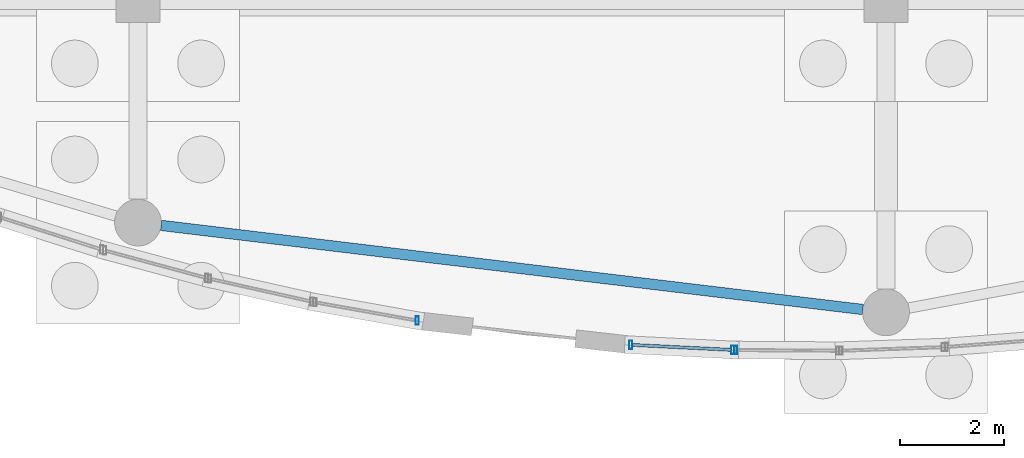
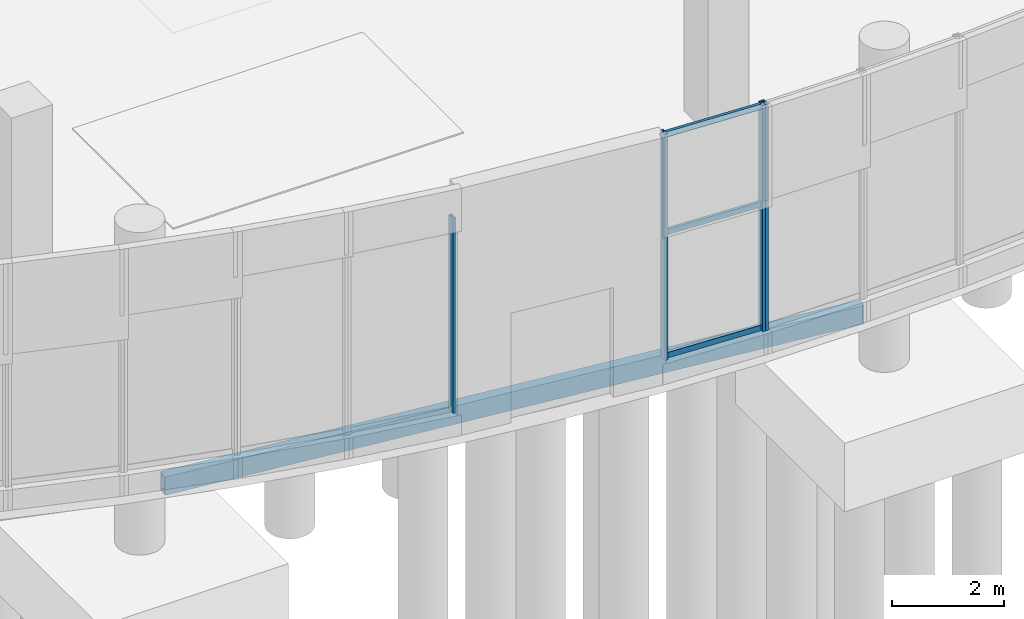
# One storey, part 30 of 192: 7 members, 1 beam, 3 elements without a shape of their own.
"""IFC4 building model written with IfcOpenShell, lengths in metres."""

from ifc_helpers import new_model, si_unit, direction, frame, origin, origin_2d, place, context, subcontext, project, spatial, hollow_rectangle, extrude, material, material_profile, profile_set, type_object, element, aggregate, save


model = new_model("IFC4")

# Units and contexts
model_context = context("Model", 3, precision=1e-05, world=origin(), true_north=direction((0.0, 1.0)))
body_context = subcontext(model_context, "Body", "Model", "MODEL_VIEW")
ifc_project = project(units=[si_unit("LENGTHUNIT", "METRE"), si_unit("AREAUNIT", "SQUARE_METRE"), si_unit("VOLUMEUNIT", "CUBIC_METRE"), si_unit("PLANEANGLEUNIT", "RADIAN"), si_unit("MASSUNIT", "GRAM", prefix="KILO")], contexts=[model_context])

# Site, building, storey
site_placement = place(None, origin())
site = spatial("IfcSite", under=ifc_project, at=site_placement, CompositionType="ELEMENT")
building_placement = place(site_placement, origin())
building = spatial("IfcBuilding", under=site, at=building_placement, Name="Cendralis Lancet Convention Centre", CompositionType="ELEMENT")
storey_placement = place(building_placement, origin())
storey = spatial("IfcBuildingStorey", under=building, at=storey_placement, Name="L00", CompositionType="ELEMENT", Elevation=0.0)

# Curtain wall, member
ifc_material_1 = material(Name="Anodised bronze architectural aluminium", Category="aluminium")
curtain_wall_type = type_object("IfcCurtainWallType", Name="ARC-CW-WF01", PredefinedType="USERDEFINED", material=ifc_material_1)
curtain_wall_1_placement = place(storey_placement, origin())
curtain_wall_1 = element("IfcCurtainWall", 1, at=curtain_wall_1_placement, inside=storey, type_object=curtain_wall_type, Name="L00 Curtain Wall CW-WF1 #022", ObjectType="CURTAIN WALL", PredefinedType="USERDEFINED")
ifc_material_profile_1 = material_profile(ifc_material_1, hollow_rectangle(XDim=0.06005859375, YDim=0.159912109375, WallThickness=0.00390625, at=origin_2d()), Name="AL-MULL 60x160x4.0")
ifc_profile_set_1 = profile_set([ifc_material_profile_1], Name="Anodised bronze architectural aluminium")
member_type_1 = type_object("IfcMemberType", Name="ARC-CW-ML01", PredefinedType="MULLION", material=ifc_profile_set_1)
member_1_placement = place(storey_placement, frame((48.576416015625, 1.035400390625, 0.449951171875), z_axis=(0.0, 0.0, 1.0), x_axis=(1.0, 0.0, 0.0)))
member_1 = element("IfcMember", 2, at=member_1_placement, type_object=member_type_1, Name="Mullion CW2-CW-WF1-L00-022-M1", PredefinedType="MULLION", context=body_context, shape_type="SweptSolid", body=[
    extrude(hollow_rectangle(XDim=0.06005859375, YDim=0.159912109375, WallThickness=0.00390625, at=origin_2d()), origin(), (0.0, 0.0, 1.0), 4.255126953125),
])
aggregate(curtain_wall_1, [member_1])

# Curtain wall, members
curtain_wall_2_placement = place(storey_placement, origin())
curtain_wall_2 = element("IfcCurtainWall", 3, at=curtain_wall_2_placement, inside=storey, type_object=curtain_wall_type, Name="L00 Curtain Wall CW-WF1 #023", ObjectType="CURTAIN WALL", PredefinedType="USERDEFINED")
member_2_placement = place(storey_placement, frame((52.68603515625, 0.568603515625, 0.449951171875), z_axis=(0.0, 0.0, 1.0), x_axis=(1.0, 0.0, 0.0)))
member_2 = element("IfcMember", 4, at=member_2_placement, type_object=member_type_1, Name="Mullion CW2-CW-WF1-L00-023-M0", PredefinedType="MULLION", context=body_context, shape_type="SweptSolid", body=[
    extrude(hollow_rectangle(XDim=0.06005859375, YDim=0.159912109375, WallThickness=0.00390625, at=origin_2d()), origin(), (0.0, 0.0, 1.0), 4.949951171875),
])
member_3_placement = place(storey_placement, frame((54.65087890625, 0.470458984375, 0.449951171875), z_axis=(0.0, 0.0, 1.0), x_axis=(1.0, 0.0, 0.0)))
member_3 = element("IfcMember", 5, at=member_3_placement, type_object=member_type_1, Name="Mullion CW2-CW-WF1-L00-023-M1", PredefinedType="MULLION", context=body_context, shape_type="SweptSolid", body=[
    extrude(hollow_rectangle(XDim=0.06005859375, YDim=0.159912109375, WallThickness=0.00390625, at=origin_2d()), origin(), (0.0, 0.0, 1.0), 4.949951171875),
])

# Curtain wall, member
curtain_wall_3_placement = place(storey_placement, origin())
curtain_wall_3 = element("IfcCurtainWall", 6, at=curtain_wall_3_placement, inside=storey, type_object=curtain_wall_type, Name="L00 Curtain Wall CW-WF1 #024", ObjectType="CURTAIN WALL", PredefinedType="USERDEFINED")
member_4_placement = place(storey_placement, frame((54.7109375, 0.46875, 0.449951171875), z_axis=(0.0, 0.0, 1.0), x_axis=(1.0, 0.0, 0.0)))
member_4 = element("IfcMember", 7, at=member_4_placement, type_object=member_type_1, Name="Mullion CW2-CW-WF1-L00-024-M0", PredefinedType="MULLION", context=body_context, shape_type="SweptSolid", body=[
    extrude(hollow_rectangle(XDim=0.06005859375, YDim=0.159912109375, WallThickness=0.00390625, at=origin_2d()), origin(), (0.0, 0.0, 1.0), 4.949951171875),
])
aggregate(curtain_wall_3, [member_4])

# Member
ifc_material_profile_2 = material_profile(ifc_material_1, hollow_rectangle(XDim=0.06005859375, YDim=0.1201171875, WallThickness=0.00390625, at=origin_2d()), Name="AL-TRAN 60x120x4.0")
ifc_profile_set_2 = profile_set([ifc_material_profile_2], Name="Anodised bronze architectural aluminium")
member_type_2 = type_object("IfcMemberType", Name="ARC-CW-TR01", PredefinedType="USERDEFINED", material=ifc_profile_set_2)
member_5_placement = place(storey_placement, frame((52.7158203125, 0.56689453125, 0.510009765625), z_axis=(0.998759986811, -0.049784422715, 0.0), x_axis=(0.049784422715, 0.998759986811, 0.0)))
member_5 = element("IfcMember", 8, at=member_5_placement, type_object=member_type_2, Name="Transom CW2-CW-WF1-L00-023-T0BOT", ObjectType="TRANSOM", PredefinedType="USERDEFINED", context=body_context, shape_type="SweptSolid", body=[
    extrude(hollow_rectangle(XDim=0.06005859375, YDim=0.1201171875, WallThickness=0.00390625, at=origin_2d()), origin(), (0.0, 0.0, 1.0), 1.90771484375),
])

member_6_placement = place(storey_placement, frame((52.7158203125, 0.56689453125, 3.2060546875), z_axis=(0.998759986811, -0.049784422715, 0.0), x_axis=(0.049784422715, 0.998759986811, 0.0)))
member_6 = element("IfcMember", 9, at=member_6_placement, type_object=member_type_2, Name="Transom CW2-CW-WF1-L00-023-T0MID", ObjectType="TRANSOM", PredefinedType="USERDEFINED", context=body_context, shape_type="SweptSolid", body=[
    extrude(hollow_rectangle(XDim=0.06005859375, YDim=0.1201171875, WallThickness=0.00390625, at=origin_2d()), origin(), (0.0, 0.0, 1.0), 1.90771484375),
])

member_7_placement = place(storey_placement, frame((52.7158203125, 0.56689453125, 5.340087890625), z_axis=(0.998759986811, -0.049784422715, 0.0), x_axis=(0.049784422715, 0.998759986811, 0.0)))
member_7 = element("IfcMember", 10, at=member_7_placement, type_object=member_type_2, Name="Transom CW2-CW-WF1-L00-023-T0TOP", ObjectType="TRANSOM", PredefinedType="USERDEFINED", context=body_context, shape_type="SweptSolid", body=[
    extrude(hollow_rectangle(XDim=0.06005859375, YDim=0.1201171875, WallThickness=0.00390625, at=origin_2d()), origin(), (0.0, 0.0, 1.0), 1.90771484375),
])

aggregate(curtain_wall_2, [member_2, member_3, member_5, member_6, member_7])

# Beam
ifc_material_2 = material(Name="Steel S355", Category="steel")
ifc_material_profile_3 = material_profile(ifc_material_2, hollow_rectangle(XDim=0.199951171875, YDim=0.39990234375, WallThickness=0.01416015625, at=origin_2d()), Name="RHS 400x200x14.2")
ifc_profile_set_3 = profile_set([ifc_material_profile_3], Name="Steel S355")
beam_type = type_object("IfcBeamType", Name="STR-SP-SP03", PredefinedType="SPANDREL", material=ifc_profile_set_3)
beam_placement = place(storey_placement, frame((43.646728515625, 2.867919921875, -0.52001953125), z_axis=(0.992891183356, -0.119025619146, 0.0), x_axis=(0.119025619146, 0.992891183356, 0.0)))
element("IfcBeam", 11, at=beam_placement, inside=storey, type_object=beam_type, Name="L00 Beam SP03 #1034", PredefinedType="SPANDREL", context=body_context, shape_type="SweptSolid", body=[
    extrude(hollow_rectangle(XDim=0.199951171875, YDim=0.39990234375, WallThickness=0.01416015625, at=origin_2d()), origin(), (0.0, 0.0, 1.0), 13.603271484375),
])

save(model, "model.ifc")
